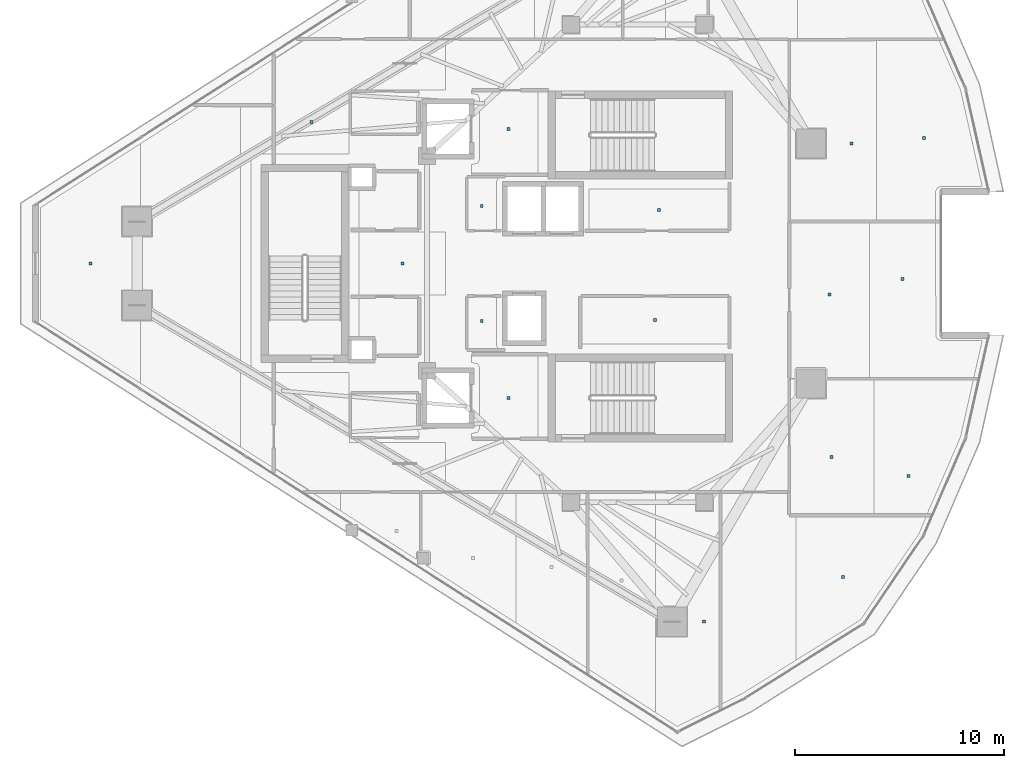
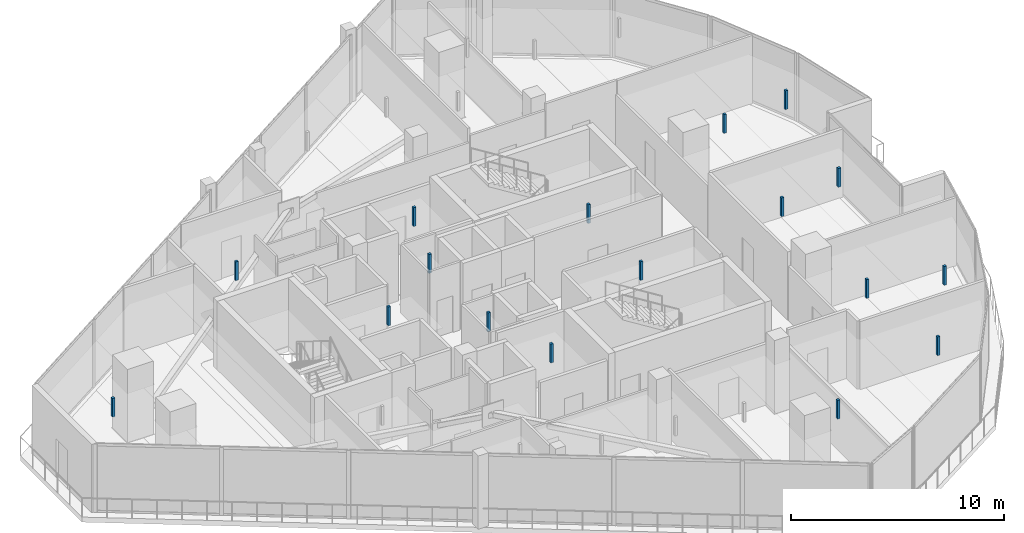
# One storey, part 24 of 30: 17 discrete accessories.
"""IFC4 building model written with IfcOpenShell, lengths in metres."""

from ifc_helpers import new_model, si_unit, direction, frame, origin, origin_2d, place, context, subcontext, project, spatial, rectangle, extrude, material, type_object, element, save


model = new_model("IFC4")

# Units and contexts
model_context = context("Model", 3, precision=1e-05, world=origin(), true_north=direction((0.0, 1.0)))
body_context = subcontext(model_context, "Body", "Model", "MODEL_VIEW")
ifc_project = project(units=[si_unit("LENGTHUNIT", "METRE"), si_unit("AREAUNIT", "SQUARE_METRE"), si_unit("VOLUMEUNIT", "CUBIC_METRE"), si_unit("PLANEANGLEUNIT", "RADIAN"), si_unit("MASSUNIT", "GRAM", prefix="KILO")], contexts=[model_context])

# Site, building, storey
site_placement = place(None, origin())
site = spatial("IfcSite", under=ifc_project, at=site_placement, CompositionType="ELEMENT")
building_placement = place(site_placement, origin())
building = spatial("IfcBuilding", under=site, at=building_placement, Name="Qorvath Tower", CompositionType="ELEMENT")
storey_placement = place(building_placement, frame((0.0, 0.0, 301.800048828125)))
storey = spatial("IfcBuildingStorey", under=building, at=storey_placement, Name="L70", CompositionType="ELEMENT", Elevation=301.800048828125)

# Discrete accessories
ifc_material = material(Name="Galvanised steel bracket", Category="steel")
discrete_accessory_type = type_object("IfcDiscreteAccessoryType", Name="DA-BRACKET", PredefinedType="BRACKET", material=ifc_material)
for number, where, z_axis, x_axis, name in (
    (1, (-26.590087890625, 6.449951171875, 2.85986328125), (0.0, 0.0, 1.0), (1.0, 0.0, 0.0), "Acoustic Ceiling Suspension Hanger T1-L70-001"),
    (2, (-26.590087890625, -6.449951171875, 2.85986328125), (0.0, 0.0, 1.0), (1.0, 0.0, 0.0), "Acoustic Ceiling Suspension Hanger T1-L70-002"),
    (3, (-19.37255859375, 2.5625, 2.85986328125), (0.0, 0.0, 1.0), (1.0, 0.0, 0.0), "Acoustic Ceiling Suspension Hanger T1-L70-003"),
    (4, (-19.574951171875, -2.70751953125, 2.85986328125), (0.0, 0.0, 1.0), (1.0, 0.0, 0.0), "Acoustic Ceiling Suspension Hanger T1-L70-004"),
    (5, (-27.87744140625, 2.762451171875, 2.85986328125), (0.0, 0.0, 1.0), (1.0, 0.0, 0.0), "Acoustic Ceiling Suspension Hanger T1-L70-005"),
    (6, (-27.87744140625, -2.762451171875, 2.85986328125), (0.0, 0.0, 1.0), (1.0, 0.0, 0.0), "Acoustic Ceiling Suspension Hanger T1-L70-006"),
    (7, (-36.040283203125, 6.782470703125, 2.85986328125), (0.0, 0.0, 1.0), (1.0, 0.0, 0.0), "Acoustic Ceiling Suspension Hanger T1-L70-012"),
    (8, (-31.6875, 0.0, 2.85986328125), (0.0, 0.0, 1.0), (1.0, 0.0, 0.0), "Acoustic Ceiling Suspension Hanger T1-L70-013"),
    (9, (-17.2236328125, -17.175537109375, 2.85986328125), (0.0, 0.0, 1.0), (1.0, 0.0, 0.0), "Acoustic Ceiling Suspension Hanger T1-L70-025"),
    (10, (-10.562744140625, -15.025390625, 2.85986328125), (0.0, 0.0, 1.0), (1.0, 0.0, 0.0), "Acoustic Ceiling Suspension Hanger T1-L70-027"),
    (11, (-11.109375, -9.286865234375, 2.85986328125), (0.0, 0.0, 1.0), (1.0, 0.0, 0.0), "Acoustic Ceiling Suspension Hanger T1-L70-028"),
    (12, (-7.4091796875, -10.190185546875, 2.85986328125), (0.0, 0.0, 1.0), (1.0, 0.0, 0.0), "Acoustic Ceiling Suspension Hanger T1-L70-029"),
    (13, (-11.21337890625, -1.49609375, 2.85986328125), (0.0, 0.0, 1.0), (1.0, 0.0, 0.0), "Acoustic Ceiling Suspension Hanger T1-L70-030"),
    (14, (-7.701416015625, -0.741455078125, 2.85986328125), (0.0, 0.0, 1.0), (1.0, 0.0, 0.0), "Acoustic Ceiling Suspension Hanger T1-L70-031"),
    (15, (-10.1494140625, 5.7578125, 2.85986328125), (0.0, 0.0, 1.0), (1.0, 0.0, 0.0), "Acoustic Ceiling Suspension Hanger T1-L70-032"),
    (16, (-6.67529296875, 6.0078125, 2.85986328125), (0.0, 0.0, 1.0), (1.0, 0.0, 0.0), "Acoustic Ceiling Suspension Hanger T1-L70-033"),
    (17, (-46.643310546875, 0.0, 2.85986328125), (0.0, 0.0, 1.0), (1.0, 0.0, 0.0), "Acoustic Ceiling Suspension Hanger T1-L70-034"),
):
    element("IfcDiscreteAccessory", number, at=place(storey_placement, frame(where, z_axis=z_axis, x_axis=x_axis)), inside=storey, type_object=discrete_accessory_type, Name=name, PredefinedType="NOTDEFINED", context=body_context, shape_type="SweptSolid", body=[
        extrude(rectangle(XDim=0.139892578125, YDim=0.139892578125, at=origin_2d()), origin(), (0.0, 0.0, 1.0), 1.080078125),
    ])

save(model, "model.ifc")
